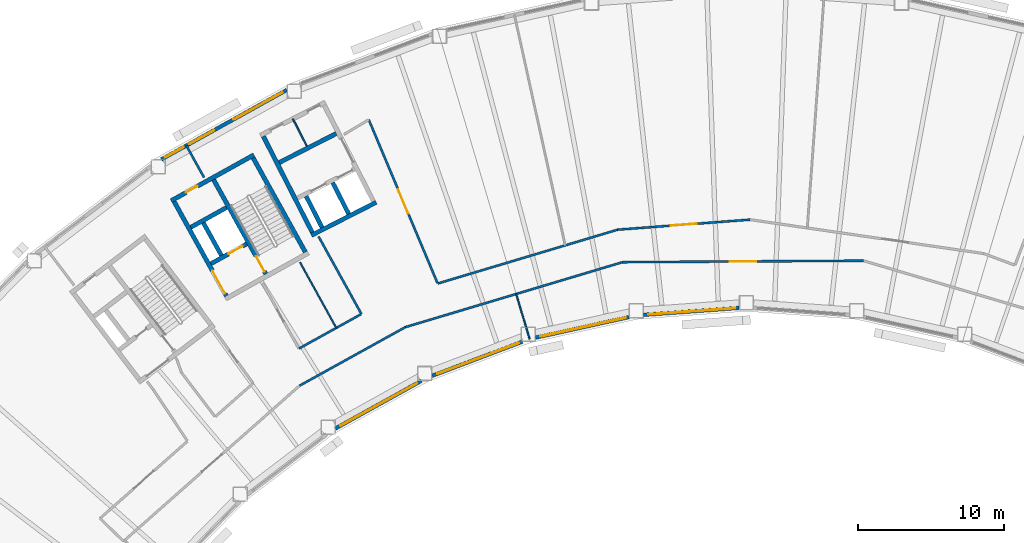
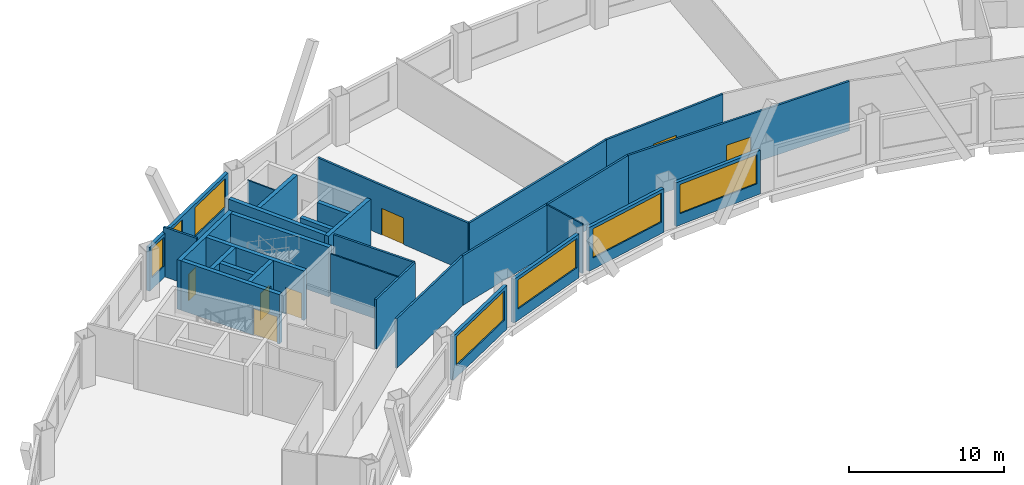
# One storey, part 4 of 11: 29 walls, 7 doors, 7 windows, 14 openings.
"""IFC4 building model written with IfcOpenShell, lengths in metres."""

from ifc_helpers import new_model, si_unit, direction, frame, frame_2d, origin, place, context, subcontext, project, spatial, rectangle, extrude, material, layer, layer_set, type_object, element, fill, save


model = new_model("IFC4")

# Units and contexts
model_context = context("Model", 3, precision=1e-05, world=origin(), true_north=direction((0.0, 1.0)))
body_context = subcontext(model_context, "Body", "Model", "MODEL_VIEW")
ifc_project = project(units=[si_unit("LENGTHUNIT", "METRE"), si_unit("AREAUNIT", "SQUARE_METRE"), si_unit("VOLUMEUNIT", "CUBIC_METRE"), si_unit("PLANEANGLEUNIT", "RADIAN"), si_unit("MASSUNIT", "GRAM", prefix="KILO")], contexts=[model_context])

# Site, building, storey
site_placement = place(None, origin())
site = spatial("IfcSite", under=ifc_project, at=site_placement, CompositionType="ELEMENT")
building_placement = place(site_placement, origin())
building = spatial("IfcBuilding", under=site, at=building_placement, Name="Tuul Gate Civic Tower", CompositionType="ELEMENT")
storey_placement = place(building_placement, frame((0.0, 0.0, 146.60009765625)))
storey = spatial("IfcBuildingStorey", under=building, at=storey_placement, Name="Level 33", CompositionType="ELEMENT", Elevation=146.60009765625)

# Wall, opening, door
ifc_material_1 = material(Name="Concrete C50/60", Category="concrete")
ifc_layer_1 = layer(ifc_material_1, 0.300048828125)
ifc_layer_set_1 = layer_set([ifc_layer_1], Name="Concrete C50/60")
wall_type_1 = type_object("IfcWallType", Name="Core wall C50/60", PredefinedType="SHEAR", material=ifc_layer_set_1)
wall_1_placement = place(storey_placement, frame((-28.94580078125, -8.090087890625, 0.0), z_axis=(0.0, 0.0, 1.0), x_axis=(-0.874629840737, -0.484791338301, 0.0)))
wall_1 = element("IfcWall", 1, at=wall_1_placement, inside=storey, type_object=wall_type_1, Name="Core wall", PredefinedType="SHEAR", context=body_context, shape_type="SweptSolid", body=[
    extrude(rectangle(XDim=2.800048828125, YDim=0.300048828125, at=frame_2d((1.39990234375, 0.0))), origin(), (0.0, 0.0, 1.0), 3.89990234375),
])
opening_1_placement = place(wall_1_placement, frame((0.324951171875, 0.0, 0.0)))
opening_1 = element("IfcOpeningElement", 2, at=opening_1_placement, cuts=wall_1, Name="Opening LD-FF-1", PredefinedType="OPENING", context=body_context, shape_type="SweptSolid", body=[
    extrude(rectangle(XDim=1.10009765625, YDim=2.10009765625, at=frame_2d((0.550048828125, 1.050048828125))), frame((0.0, 0.16015625, 0.0), z_axis=(0.0, -1.0, 0.0), x_axis=(1.0, 0.0, 0.0)), (0.0, 0.0, 1.0), 0.320068359375),
])
ifc_material_2 = material(Name="Stainless steel", Category="steel")
door_type_1 = type_object("IfcDoorType", Name="Landing door", OperationType="DOUBLE_DOOR_SLIDING", PredefinedType="DOOR", material=ifc_material_2)
door_1_placement = place(opening_1_placement, origin())
door_1 = element("IfcDoor", 3, at=door_1_placement, inside=storey, type_object=door_type_1, Name="Fire-fighting lift FF-1 landing door", OperationType="DOUBLE_DOOR_SLIDING", OverallHeight=2.10009765625, OverallWidth=1.10009765625, PredefinedType="DOOR", context=body_context, shape_type="SweptSolid", body=[
    extrude(rectangle(XDim=1.10009765625, YDim=2.10009765625, at=frame_2d((0.550048828125, 1.050048828125))), frame((0.0, 0.02490234375, 0.0), z_axis=(0.0, -1.0, 0.0), x_axis=(1.0, 0.0, 0.0)), (0.0, 0.0, 1.0), 0.050048828125),
])
fill(opening_1, door_1)

# Wall
wall_2_placement = place(storey_placement, frame((-30.327392578125, -5.59716796875, 0.0), z_axis=(0.0, 0.0, 1.0), x_axis=(-0.874629840737, -0.484791338301, 0.0)))
element("IfcWall", 4, at=wall_2_placement, inside=storey, type_object=wall_type_1, Name="Core wall", PredefinedType="SHEAR", context=body_context, shape_type="SweptSolid", body=[
    extrude(rectangle(XDim=2.800048828125, YDim=0.300048828125, at=frame_2d((1.39990234375, 0.0))), origin(), (0.0, 0.0, 1.0), 3.89990234375),
])

# Wall, opening, door
wall_3_placement = place(storey_placement, frame((-28.4443359375, -1.98095703125, 0.0), z_axis=(0.0, 0.0, 1.0), x_axis=(-0.874629909008, -0.484791215132, 0.0)))
wall_3 = element("IfcWall", 5, at=wall_3_placement, inside=storey, type_object=wall_type_1, Name="Core wall", PredefinedType="SHEAR", context=body_context, shape_type="SweptSolid", body=[
    extrude(rectangle(XDim=6.5, YDim=0.300048828125, at=frame_2d((3.25, 0.0))), origin(), (0.0, 0.0, 1.0), 3.89990234375),
])
opening_2_placement = place(wall_3_placement, frame((4.425048828125, 0.0, 0.0)))
opening_2 = element("IfcOpeningElement", 6, at=opening_2_placement, cuts=wall_3, Name="Opening L-D12", PredefinedType="OPENING", context=body_context, shape_type="SweptSolid", body=[
    extrude(rectangle(XDim=0.89990234375, YDim=2.10009765625, at=frame_2d((0.449951171875, 1.050048828125))), frame((0.0, 0.16015625, 0.0), z_axis=(0.0, -1.0, 0.0), x_axis=(1.0, 0.0, 0.0)), (0.0, 0.0, 1.0), 0.320068359375),
])
ifc_material_3 = material(Name="Timber door leaf", Category="wood")
door_type_2 = type_object("IfcDoorType", Name="Door D09", OperationType="NOTDEFINED", PredefinedType="DOOR", material=ifc_material_3)
door_2_placement = place(opening_2_placement, origin())
door_2 = element("IfcDoor", 7, at=door_2_placement, inside=storey, type_object=door_type_2, Name="Door L-D12", OperationType="SINGLE_SWING_LEFT", OverallHeight=2.10009765625, OverallWidth=0.89990234375, PredefinedType="DOOR", context=body_context, shape_type="SweptSolid", body=[
    extrude(rectangle(XDim=0.89990234375, YDim=2.10009765625, at=frame_2d((0.449951171875, 1.050048828125))), frame((0.0, 0.02490234375, 0.0), z_axis=(0.0, -1.0, 0.0), x_axis=(1.0, 0.0, 0.0)), (0.0, 0.0, 1.0), 0.050048828125),
])
fill(opening_2, door_2)

# Wall
wall_4_placement = place(storey_placement, frame((-24.91552734375, -8.6572265625, 0.0), z_axis=(0.0, 0.0, 1.0), x_axis=(-0.484777133038, 0.874637714304, 0.0)))
element("IfcWall", 8, at=wall_4_placement, inside=storey, type_object=wall_type_1, Name="Core wall", PredefinedType="SHEAR", context=body_context, shape_type="SweptSolid", body=[
    extrude(rectangle(XDim=7.400146484375, YDim=0.300048828125, at=frame_2d((3.7001953125, 0.0))), origin(), (0.0, 0.0, 1.0), 3.89990234375),
])

# Wall, opening, door
wall_5_placement = place(storey_placement, frame((-27.626953125, -10.16015625, 0.0), z_axis=(0.0, 0.0, 1.0), x_axis=(-0.484751894226, 0.874651702704, 0.0)))
wall_5 = element("IfcWall", 9, at=wall_5_placement, inside=storey, type_object=wall_type_1, Name="Core wall", PredefinedType="SHEAR", context=body_context, shape_type="SweptSolid", body=[
    extrude(rectangle(XDim=7.39990234375, YDim=0.300048828125, at=frame_2d((3.699951171875, 0.0))), origin(), (0.0, 0.0, 1.0), 3.89990234375),
])
opening_3_placement = place(wall_5_placement, frame((0.199951171875, 0.0, 0.0)))
opening_3 = element("IfcOpeningElement", 10, at=opening_3_placement, cuts=wall_5, Name="Opening SD-ST-2", PredefinedType="OPENING", context=body_context, shape_type="SweptSolid", body=[
    extrude(rectangle(XDim=1.199951171875, YDim=2.10009765625, at=frame_2d((0.60009765625, 1.050048828125))), frame((0.0, 0.16015625, 0.0), z_axis=(0.0, -1.0, 0.0), x_axis=(1.0, 0.0, 0.0)), (0.0, 0.0, 1.0), 0.320068359375),
])
ifc_material_4 = material(Name="Steel", Category="steel")
door_type_3 = type_object("IfcDoorType", Name="Stair door", OperationType="NOTDEFINED", PredefinedType="DOOR", material=ifc_material_4)
door_3_placement = place(opening_3_placement, origin())
door_3 = element("IfcDoor", 11, at=door_3_placement, inside=storey, type_object=door_type_3, Name="Stair door ST-2", OperationType="SINGLE_SWING_LEFT", OverallHeight=2.10009765625, OverallWidth=1.199951171875, PredefinedType="DOOR", context=body_context, shape_type="SweptSolid", body=[
    extrude(rectangle(XDim=1.199951171875, YDim=2.10009765625, at=frame_2d((0.60009765625, 1.050048828125))), frame((0.0, 0.02490234375, 0.0), z_axis=(0.0, -1.0, 0.0), x_axis=(1.0, 0.0, 0.0)), (0.0, 0.0, 1.0), 0.050048828125),
])
fill(opening_3, door_3)

# Wall
wall_6_placement = place(storey_placement, frame((-30.680419921875, -8.8798828125, 0.0), z_axis=(0.0, 0.0, 1.0), x_axis=(-0.484724115216, 0.874667097888, 0.0)))
element("IfcWall", 12, at=wall_6_placement, inside=storey, type_object=wall_type_1, Name="Core wall", PredefinedType="SHEAR", context=body_context, shape_type="SweptSolid", body=[
    extrude(rectangle(XDim=2.550048828125, YDim=0.300048828125, at=frame_2d((1.27490234375, 0.0))), origin(), (0.0, 0.0, 1.0), 3.89990234375),
])

# Wall, opening, door
wall_7_placement = place(storey_placement, frame((-30.33837890625, -11.6630859375, 0.0), z_axis=(0.0, 0.0, 1.0), x_axis=(-0.484751894226, 0.874651702704, 0.0)))
wall_7 = element("IfcWall", 13, at=wall_7_placement, inside=storey, type_object=wall_type_1, Name="Core wall", PredefinedType="SHEAR", context=body_context, shape_type="SweptSolid", body=[
    extrude(rectangle(XDim=7.39990234375, YDim=0.300048828125, at=frame_2d((3.699951171875, 0.0))), origin(), (0.0, 0.0, 1.0), 3.89990234375),
])
opening_4_placement = place(wall_7_placement, frame((0.175048828125, 0.0, 0.0)))
opening_4 = element("IfcOpeningElement", 14, at=opening_4_placement, cuts=wall_7, Name="Opening LB-W2-FLOBBY-1", PredefinedType="OPENING", context=body_context, shape_type="SweptSolid", body=[
    extrude(rectangle(XDim=1.800048828125, YDim=2.10009765625, at=frame_2d((0.89990234375, 1.050048828125))), frame((0.0, 0.16015625, 0.0), z_axis=(0.0, -1.0, 0.0), x_axis=(1.0, 0.0, 0.0)), (0.0, 0.0, 1.0), 0.320068359375),
])
ifc_material_5 = material(Name="Steel", Category="steel")
door_type_4 = type_object("IfcDoorType", Name="Lobby door", OperationType="DOUBLE_DOOR_SINGLE_SWING", PredefinedType="DOOR", material=ifc_material_5)
door_4_placement = place(opening_4_placement, frame((1.800048828125, 0.0, 0.0), z_axis=(0.0, 0.0, 1.0), x_axis=(-1.0, 0.0, 0.0)))
door_4 = element("IfcDoor", 15, at=door_4_placement, inside=storey, type_object=door_type_4, Name="Lobby door W2-FLOBBY", OperationType="DOUBLE_DOOR_SINGLE_SWING", OverallHeight=2.10009765625, OverallWidth=1.800048828125, PredefinedType="DOOR", context=body_context, shape_type="SweptSolid", body=[
    extrude(rectangle(XDim=1.800048828125, YDim=2.10009765625, at=frame_2d((0.900146484375, 1.050048828125))), frame((0.0, 0.02490234375, 0.0), z_axis=(0.0, -1.0, 0.0), x_axis=(1.0, 0.0, 0.0)), (0.0, 0.0, 1.0), 0.050048828125),
])
fill(opening_4, door_4)

ifc_material_6 = material(Name="Gypsum board partition")
ifc_layer_2 = layer(ifc_material_6, 0.14990234375)
ifc_layer_set_2 = layer_set([ifc_layer_2], Name="Gypsum board partition")
wall_type_2 = type_object("IfcWallType", Name="Corridor wall P150", PredefinedType="PARTITIONING", material=ifc_layer_set_2)
wall_8_placement = place(storey_placement, frame((-3.470947265625, -7.116455078125, 0.0), z_axis=(0.0, 0.0, 1.0), x_axis=(0.997138621877, 0.075594766752, 0.0)))
wall_8 = element("IfcWall", 16, at=wall_8_placement, inside=storey, type_object=wall_type_2, Name="p019", PredefinedType="PARTITIONING", context=body_context, shape_type="SweptSolid", body=[
    extrude(rectangle(XDim=9.1171875, YDim=0.14990234375, at=frame_2d((4.55859375, 0.0))), origin(), (0.0, 0.0, 1.0), 3.89990234375),
])
opening_5_placement = place(wall_8_placement, frame((3.658447265625, 0.0, 0.0)))
opening_5 = element("IfcOpeningElement", 17, at=opening_5_placement, cuts=wall_8, Name="Opening L-D04", PredefinedType="OPENING", context=body_context, shape_type="SweptSolid", body=[
    extrude(rectangle(XDim=1.800048828125, YDim=2.10009765625, at=frame_2d((0.89990234375, 1.050048828125))), frame((0.0, 0.0849609375, 0.0), z_axis=(0.0, -1.0, 0.0), x_axis=(1.0, 0.0, 0.0)), (0.0, 0.0, 1.0), 0.169921875),
])
ifc_material_7 = material(Name="Timber door leaf, double", Category="wood")
door_type_5 = type_object("IfcDoorType", Name="Door D18", OperationType="DOUBLE_DOOR_SINGLE_SWING", PredefinedType="DOOR", material=ifc_material_7)
door_5_placement = place(opening_5_placement, origin())
door_5 = element("IfcDoor", 18, at=door_5_placement, inside=storey, type_object=door_type_5, Name="Door L-D04", OperationType="DOUBLE_DOOR_SINGLE_SWING", OverallHeight=2.10009765625, OverallWidth=1.800048828125, PredefinedType="DOOR", context=body_context, shape_type="SweptSolid", body=[
    extrude(rectangle(XDim=1.800048828125, YDim=2.10009765625, at=frame_2d((0.89990234375, 1.050048828125))), frame((0.0, 0.02490234375, 0.0), z_axis=(0.0, -1.0, 0.0), x_axis=(1.0, 0.0, 0.0)), (0.0, 0.0, 1.0), 0.050048828125),
])
fill(opening_5, door_5)

# Wall
wall_9_placement = place(storey_placement, frame((-15.811279296875, -10.80859375, 0.0), z_axis=(0.0, 0.0, 1.0), x_axis=(0.95803160682, 0.286662589701, 0.0)))
element("IfcWall", 19, at=wall_9_placement, inside=storey, type_object=wall_type_2, Name="p020", PredefinedType="PARTITIONING", context=body_context, shape_type="SweptSolid", body=[
    extrude(rectangle(XDim=12.87890625, YDim=0.14990234375, at=frame_2d((6.439453125, 0.0))), origin(), (0.0, 0.0, 1.0), 3.89990234375),
])

# Wall, opening, door
wall_10_placement = place(storey_placement, frame((-20.5615234375, 0.435546875, 0.0), z_axis=(0.0, 0.0, 1.0), x_axis=(0.387744378933, -0.921766942674, 0.0)))
wall_10 = element("IfcWall", 20, at=wall_10_placement, inside=storey, type_object=wall_type_2, Name="p022", PredefinedType="PARTITIONING", context=body_context, shape_type="SweptSolid", body=[
    extrude(rectangle(XDim=12.185546875, YDim=0.14990234375, at=frame_2d((6.0927734375, 0.0))), origin(), (0.0, 0.0, 1.0), 3.89990234375),
])
opening_6_placement = place(wall_10_placement, frame((5.19287109375, 0.0, 0.0)))
opening_6 = element("IfcOpeningElement", 21, at=opening_6_placement, cuts=wall_10, Name="Opening L-D05", PredefinedType="OPENING", context=body_context, shape_type="SweptSolid", body=[
    extrude(rectangle(XDim=1.800048828125, YDim=2.10009765625, at=frame_2d((0.89990234375, 1.050048828125))), frame((0.0, 0.0849609375, 0.0), z_axis=(0.0, -1.0, 0.0), x_axis=(1.0, 0.0, 0.0)), (0.0, 0.0, 1.0), 0.169921875),
])
door_6_placement = place(opening_6_placement, origin())
door_6 = element("IfcDoor", 22, at=door_6_placement, inside=storey, type_object=door_type_5, Name="Door L-D05", OperationType="DOUBLE_DOOR_SINGLE_SWING", OverallHeight=2.10009765625, OverallWidth=1.800048828125, PredefinedType="DOOR", context=body_context, shape_type="SweptSolid", body=[
    extrude(rectangle(XDim=1.800048828125, YDim=2.10009765625, at=frame_2d((0.89990234375, 1.050048828125))), frame((0.0, 0.02490234375, 0.0), z_axis=(0.0, -1.0, 0.0), x_axis=(1.0, 0.0, 0.0)), (0.0, 0.0, 1.0), 0.050048828125),
])
fill(opening_6, door_6)

# Walls
wall_11_placement = place(storey_placement, frame((-24.0078125, -7.586181640625, 0.0), z_axis=(0.0, 0.0, 1.0), x_axis=(0.483990526956, -0.87507323683, 0.0)))
element("IfcWall", 23, at=wall_11_placement, inside=storey, type_object=wall_type_2, Name="p024", PredefinedType="PARTITIONING", context=body_context, shape_type="SweptSolid", body=[
    extrude(rectangle(XDim=6.062255859375, YDim=0.14990234375, at=frame_2d((3.03125, 0.0))), origin(), (0.0, 0.0, 1.0), 3.89990234375),
])
wall_12_placement = place(storey_placement, frame((-25.348876953125, -15.276611328125, 0.0), z_axis=(0.0, 0.0, 1.0), x_axis=(0.874956857893, 0.484200884785, 0.0)))
element("IfcWall", 24, at=wall_12_placement, inside=storey, type_object=wall_type_2, Name="p025", PredefinedType="PARTITIONING", context=body_context, shape_type="SweptSolid", body=[
    extrude(rectangle(XDim=4.875244140625, YDim=0.14990234375, at=frame_2d((2.4375, 0.0))), origin(), (0.0, 0.0, 1.0), 3.89990234375),
])
wall_13_placement = place(storey_placement, frame((-33.087890625, -1.337890625, 0.0), z_axis=(0.0, 0.0, 1.0), x_axis=(0.484347743095, -0.874875570443, 0.0)))
element("IfcWall", 25, at=wall_13_placement, inside=storey, type_object=wall_type_2, Name="p026", PredefinedType="PARTITIONING", context=body_context, shape_type="SweptSolid", body=[
    extrude(rectangle(XDim=2.513671875, YDim=0.14990234375, at=frame_2d((1.2568359375, 0.0))), origin(), (0.0, 0.0, 1.0), 3.89990234375),
])
wall_14_placement = place(storey_placement, frame((-18.05029296875, -13.80908203125, 0.0), z_axis=(0.0, 0.0, 1.0), x_axis=(0.958036743569, 0.286645422031, 0.0)))
element("IfcWall", 26, at=wall_14_placement, inside=storey, type_object=wall_type_2, Name="p037", PredefinedType="PARTITIONING", context=body_context, shape_type="SweptSolid", body=[
    extrude(rectangle(XDim=15.561767578125, YDim=0.14990234375, at=frame_2d((7.78076171875, 0.0))), origin(), (0.0, 0.0, 1.0), 3.89990234375),
])

# Wall, opening, door
wall_15_placement = place(storey_placement, frame((-3.1416015625, -9.348388671875, 0.0), z_axis=(0.0, 0.0, 1.0), x_axis=(0.999981434522, 0.006093489325, 0.0)))
wall_15 = element("IfcWall", 27, at=wall_15_placement, inside=storey, type_object=wall_type_2, Name="p038", PredefinedType="PARTITIONING", context=body_context, shape_type="SweptSolid", body=[
    extrude(rectangle(XDim=16.547119140625, YDim=0.14990234375, at=frame_2d((8.2734375, 0.0))), origin(), (0.0, 0.0, 1.0), 3.89990234375),
])
opening_7_placement = place(wall_15_placement, frame((7.37353515625, 0.0, 0.0)))
opening_7 = element("IfcOpeningElement", 28, at=opening_7_placement, cuts=wall_15, Name="Opening L-D08", PredefinedType="OPENING", context=body_context, shape_type="SweptSolid", body=[
    extrude(rectangle(XDim=1.800048828125, YDim=2.10009765625, at=frame_2d((0.89990234375, 1.050048828125))), frame((0.0, 0.0849609375, 0.0), z_axis=(0.0, -1.0, 0.0), x_axis=(1.0, 0.0, 0.0)), (0.0, 0.0, 1.0), 0.169921875),
])
door_7_placement = place(opening_7_placement, frame((1.800048828125, 0.0, 0.0), z_axis=(0.0, 0.0, 1.0), x_axis=(-1.0, 0.0, 0.0)))
door_7 = element("IfcDoor", 29, at=door_7_placement, inside=storey, type_object=door_type_5, Name="Door L-D08", OperationType="DOUBLE_DOOR_SINGLE_SWING", OverallHeight=2.10009765625, OverallWidth=1.800048828125, PredefinedType="DOOR", context=body_context, shape_type="SweptSolid", body=[
    extrude(rectangle(XDim=1.800048828125, YDim=2.10009765625, at=frame_2d((0.900146484375, 1.050048828125))), frame((0.0, 0.02490234375, 0.0), z_axis=(0.0, -1.0, 0.0), x_axis=(1.0, 0.0, 0.0)), (0.0, 0.0, 1.0), 0.050048828125),
])
fill(opening_7, door_7)

# Wall
wall_16_placement = place(storey_placement, frame((-25.308837890625, -17.826171875, 0.0), z_axis=(0.0, 0.0, 1.0), x_axis=(0.874970911839, 0.484175488264, 0.0)))
element("IfcWall", 30, at=wall_16_placement, inside=storey, type_object=wall_type_2, Name="p041", PredefinedType="PARTITIONING", context=body_context, shape_type="SweptSolid", body=[
    extrude(rectangle(XDim=8.295654296875, YDim=0.14990234375, at=frame_2d((4.14794921875, 0.0))), origin(), (0.0, 0.0, 1.0), 3.89990234375),
])

# Wall, openings, windows
ifc_material_8 = material(Name="Precast concrete C40/50", Category="concrete")
ifc_layer_3 = layer(ifc_material_8, 0.25)
ifc_layer_set_3 = layer_set([ifc_layer_3], Name="Precast concrete C40/50")
wall_type_3 = type_object("IfcWallType", Name="External wall", PredefinedType="STANDARD", material=ifc_layer_set_3)
wall_17_placement = place(storey_placement, frame((-26.18994140625, 2.479736328125, 0.0), z_axis=(0.0, 0.0, 1.0), x_axis=(-0.874631968484, -0.484787499536, 0.0)))
wall_17 = element("IfcWall", 31, at=wall_17_placement, inside=storey, type_object=wall_type_3, Name="External wall", PredefinedType="STANDARD", context=body_context, shape_type="SweptSolid", body=[
    extrude(rectangle(XDim=9.8408203125, YDim=0.25, at=frame_2d((4.92041015625, 0.0))), origin(), (0.0, 0.0, 1.0), 3.449951171875),
])
opening_8_placement = place(wall_17_placement, frame((0.3359375, 0.0, 0.89990234375)))
opening_8 = element("IfcOpeningElement", 32, at=opening_8_placement, cuts=wall_17, Name="Opening W22", PredefinedType="OPENING", context=body_context, shape_type="SweptSolid", body=[
    extrude(rectangle(XDim=3.85009765625, YDim=2.300048828125, at=frame_2d((1.925048828125, 1.14990234375))), frame((0.0, 0.135009765625, 0.0), z_axis=(0.0, -1.0, 0.0), x_axis=(1.0, 0.0, 0.0)), (0.0, 0.0, 1.0), 0.27001953125),
])
opening_9_placement = place(wall_17_placement, frame((5.720703125, 0.0, 0.89990234375)))
opening_9 = element("IfcOpeningElement", 33, at=opening_9_placement, cuts=wall_17, Name="Opening W46", PredefinedType="OPENING", context=body_context, shape_type="SweptSolid", body=[
    extrude(rectangle(XDim=1.949951171875, YDim=2.300048828125, at=frame_2d((0.97509765625, 1.14990234375))), frame((0.0, 0.135009765625, 0.0), z_axis=(0.0, -1.0, 0.0), x_axis=(1.0, 0.0, 0.0)), (0.0, 0.0, 1.0), 0.27001953125),
])
opening_10_placement = place(wall_17_placement, frame((8.095703125, 0.0, 0.89990234375)))
opening_10 = element("IfcOpeningElement", 34, at=opening_10_placement, cuts=wall_17, Name="Opening W47", PredefinedType="OPENING", context=body_context, shape_type="SweptSolid", body=[
    extrude(rectangle(XDim=1.449951171875, YDim=2.300048828125, at=frame_2d((0.72509765625, 1.14990234375))), frame((0.0, 0.135009765625, 0.0), z_axis=(0.0, -1.0, 0.0), x_axis=(1.0, 0.0, 0.0)), (0.0, 0.0, 1.0), 0.27001953125),
])
ifc_material_9 = material(Name="Glass", Category="glass")
window_type_1 = type_object("IfcWindowType", Name="Window 1450 x 2300", PartitioningType="SINGLE_PANEL", PredefinedType="WINDOW", material=ifc_material_9)
window_1_placement = place(opening_10_placement, origin())
window_1 = element("IfcWindow", 35, at=window_1_placement, inside=storey, type_object=window_type_1, Name="Window", OverallHeight=2.300048828125, OverallWidth=1.449951171875, PartitioningType="SINGLE_PANEL", PredefinedType="WINDOW", context=body_context, shape_type="SweptSolid", body=[
    extrude(rectangle(XDim=1.449951171875, YDim=2.300048828125, at=frame_2d((0.72509765625, 1.14990234375))), frame((0.0, 0.030029296875, 0.0), z_axis=(0.0, -1.0, 0.0), x_axis=(1.0, 0.0, 0.0)), (0.0, 0.0, 1.0), 0.06005859375),
])
fill(opening_10, window_1)
ifc_material_10 = material(Name="Glass", Category="glass")
window_type_2 = type_object("IfcWindowType", Name="Window 1950 x 2300", PartitioningType="SINGLE_PANEL", PredefinedType="WINDOW", material=ifc_material_10)
window_2_placement = place(opening_9_placement, origin())
window_2 = element("IfcWindow", 36, at=window_2_placement, inside=storey, type_object=window_type_2, Name="Window", OverallHeight=2.300048828125, OverallWidth=1.949951171875, PartitioningType="SINGLE_PANEL", PredefinedType="WINDOW", context=body_context, shape_type="SweptSolid", body=[
    extrude(rectangle(XDim=1.949951171875, YDim=2.300048828125, at=frame_2d((0.97509765625, 1.14990234375))), frame((0.0, 0.030029296875, 0.0), z_axis=(0.0, -1.0, 0.0), x_axis=(1.0, 0.0, 0.0)), (0.0, 0.0, 1.0), 0.06005859375),
])
fill(opening_9, window_2)
ifc_material_11 = material(Name="Glass", Category="glass")
window_type_3 = type_object("IfcWindowType", Name="Window W22 3850 x 2300", PartitioningType="SINGLE_PANEL", PredefinedType="WINDOW", material=ifc_material_11)
window_3_placement = place(opening_8_placement, origin())
window_3 = element("IfcWindow", 37, at=window_3_placement, inside=storey, type_object=window_type_3, Name="Window", OverallHeight=2.300048828125, OverallWidth=3.85009765625, PartitioningType="SINGLE_PANEL", PredefinedType="WINDOW", context=body_context, shape_type="SweptSolid", body=[
    extrude(rectangle(XDim=3.85009765625, YDim=2.300048828125, at=frame_2d((1.925048828125, 1.14990234375))), frame((0.0, 0.030029296875, 0.0), z_axis=(0.0, -1.0, 0.0), x_axis=(1.0, 0.0, 0.0)), (0.0, 0.0, 1.0), 0.06005859375),
])
fill(opening_8, window_3)

# Wall, opening, window
wall_18_placement = place(storey_placement, frame((-22.85302734375, -20.766845703125, 0.0), z_axis=(0.0, 0.0, 1.0), x_axis=(0.874615488592, 0.484817230628, 0.0)))
wall_18 = element("IfcWall", 38, at=wall_18_placement, inside=storey, type_object=wall_type_3, Name="External wall", PredefinedType="STANDARD", context=body_context, shape_type="SweptSolid", body=[
    extrude(rectangle(XDim=6.7548828125, YDim=0.25, at=frame_2d((3.37744140625, 0.0))), origin(), (0.0, 0.0, 1.0), 3.449951171875),
])
opening_11_placement = place(wall_18_placement, frame((0.40478515625, 0.0, 0.89990234375)))
opening_11 = element("IfcOpeningElement", 39, at=opening_11_placement, cuts=wall_18, Name="Opening W26", PredefinedType="OPENING", context=body_context, shape_type="SweptSolid", body=[
    extrude(rectangle(XDim=6.0, YDim=2.300048828125, at=frame_2d((3.0, 1.14990234375))), frame((0.0, 0.135009765625, 0.0), z_axis=(0.0, -1.0, 0.0), x_axis=(1.0, 0.0, 0.0)), (0.0, 0.0, 1.0), 0.27001953125),
])
ifc_material_12 = material(Name="Glass", Category="glass")
window_type_4 = type_object("IfcWindowType", Name="Window W26 6000 x 2300", PartitioningType="SINGLE_PANEL", PredefinedType="WINDOW", material=ifc_material_12)
window_4_placement = place(opening_11_placement, origin())
window_4 = element("IfcWindow", 40, at=window_4_placement, inside=storey, type_object=window_type_4, Name="Window", OverallHeight=2.300048828125, OverallWidth=6.0, PartitioningType="SINGLE_PANEL", PredefinedType="WINDOW", context=body_context, shape_type="SweptSolid", body=[
    extrude(rectangle(XDim=6.0, YDim=2.300048828125, at=frame_2d((3.0, 1.14990234375))), frame((0.0, 0.030029296875, 0.0), z_axis=(0.0, -1.0, 0.0), x_axis=(1.0, 0.0, 0.0)), (0.0, 0.0, 1.0), 0.06005859375),
])
fill(opening_11, window_4)

wall_19_placement = place(storey_placement, frame((-16.212890625, -17.150146484375, 0.0), z_axis=(0.0, 0.0, 1.0), x_axis=(0.935354811562, 0.353710865662, 0.0)))
wall_19 = element("IfcWall", 41, at=wall_19_placement, inside=storey, type_object=wall_type_3, Name="External wall", PredefinedType="STANDARD", context=body_context, shape_type="SweptSolid", body=[
    extrude(rectangle(XDim=6.624755859375, YDim=0.25, at=frame_2d((3.3125, 0.0))), origin(), (0.0, 0.0, 1.0), 3.449951171875),
])
opening_12_placement = place(wall_19_placement, frame((0.384521484375, 0.0, 0.89990234375)))
opening_12 = element("IfcOpeningElement", 42, at=opening_12_placement, cuts=wall_19, Name="Opening W26", PredefinedType="OPENING", context=body_context, shape_type="SweptSolid", body=[
    extrude(rectangle(XDim=6.0, YDim=2.300048828125, at=frame_2d((3.0, 1.14990234375))), frame((0.0, 0.135009765625, 0.0), z_axis=(0.0, -1.0, 0.0), x_axis=(1.0, 0.0, 0.0)), (0.0, 0.0, 1.0), 0.27001953125),
])
window_5_placement = place(opening_12_placement, origin())
window_5 = element("IfcWindow", 43, at=window_5_placement, inside=storey, type_object=window_type_4, Name="Window", OverallHeight=2.300048828125, OverallWidth=6.0, PartitioningType="SINGLE_PANEL", PredefinedType="WINDOW", context=body_context, shape_type="SweptSolid", body=[
    extrude(rectangle(XDim=6.0, YDim=2.300048828125, at=frame_2d((3.0, 1.14990234375))), frame((0.0, 0.030029296875, 0.0), z_axis=(0.0, -1.0, 0.0), x_axis=(1.0, 0.0, 0.0)), (0.0, 0.0, 1.0), 0.06005859375),
])
fill(opening_12, window_5)

wall_20_placement = place(storey_placement, frame((-9.112060546875, -14.529296875, 0.0), z_axis=(0.0, 0.0, 1.0), x_axis=(0.976557337415, 0.215257442942, 0.0)))
wall_20 = element("IfcWall", 44, at=wall_20_placement, inside=storey, type_object=wall_type_3, Name="External wall", PredefinedType="STANDARD", context=body_context, shape_type="SweptSolid", body=[
    extrude(rectangle(XDim=6.568115234375, YDim=0.25, at=frame_2d((3.2841796875, 0.0))), origin(), (0.0, 0.0, 1.0), 3.449951171875),
])
opening_13_placement = place(wall_20_placement, frame((0.355712890625, 0.0, 0.89990234375)))
opening_13 = element("IfcOpeningElement", 45, at=opening_13_placement, cuts=wall_20, Name="Opening W26", PredefinedType="OPENING", context=body_context, shape_type="SweptSolid", body=[
    extrude(rectangle(XDim=6.0, YDim=2.300048828125, at=frame_2d((3.0, 1.14990234375))), frame((0.0, 0.135009765625, 0.0), z_axis=(0.0, -1.0, 0.0), x_axis=(1.0, 0.0, 0.0)), (0.0, 0.0, 1.0), 0.27001953125),
])
window_6_placement = place(opening_13_placement, origin())
window_6 = element("IfcWindow", 46, at=window_6_placement, inside=storey, type_object=window_type_4, Name="Window", OverallHeight=2.300048828125, OverallWidth=6.0, PartitioningType="SINGLE_PANEL", PredefinedType="WINDOW", context=body_context, shape_type="SweptSolid", body=[
    extrude(rectangle(XDim=6.0, YDim=2.300048828125, at=frame_2d((3.0, 1.14990234375))), frame((0.0, 0.030029296875, 0.0), z_axis=(0.0, -1.0, 0.0), x_axis=(1.0, 0.0, 0.0)), (0.0, 0.0, 1.0), 0.06005859375),
])
fill(opening_13, window_6)

wall_21_placement = place(storey_placement, frame((-1.697998046875, -12.962158203125, 0.0), z_axis=(0.0, 0.0, 1.0), x_axis=(0.997383866909, 0.072287080662, 0.0)))
wall_21 = element("IfcWall", 47, at=wall_21_placement, inside=storey, type_object=wall_type_3, Name="External wall", PredefinedType="STANDARD", context=body_context, shape_type="SweptSolid", body=[
    extrude(rectangle(XDim=6.58935546875, YDim=0.25, at=frame_2d((3.294677734375, 0.0))), origin(), (0.0, 0.0, 1.0), 3.449951171875),
])
opening_14_placement = place(wall_21_placement, frame((0.318115234375, 0.0, 0.89990234375)))
opening_14 = element("IfcOpeningElement", 48, at=opening_14_placement, cuts=wall_21, Name="Opening W26", PredefinedType="OPENING", context=body_context, shape_type="SweptSolid", body=[
    extrude(rectangle(XDim=6.0, YDim=2.300048828125, at=frame_2d((3.0, 1.14990234375))), frame((0.0, 0.135009765625, 0.0), z_axis=(0.0, -1.0, 0.0), x_axis=(1.0, 0.0, 0.0)), (0.0, 0.0, 1.0), 0.27001953125),
])
window_7_placement = place(opening_14_placement, origin())
window_7 = element("IfcWindow", 49, at=window_7_placement, inside=storey, type_object=window_type_4, Name="Window", OverallHeight=2.300048828125, OverallWidth=6.0, PartitioningType="SINGLE_PANEL", PredefinedType="WINDOW", context=body_context, shape_type="SweptSolid", body=[
    extrude(rectangle(XDim=6.0, YDim=2.300048828125, at=frame_2d((3.0, 1.14990234375))), frame((0.0, 0.030029296875, 0.0), z_axis=(0.0, -1.0, 0.0), x_axis=(1.0, 0.0, 0.0)), (0.0, 0.0, 1.0), 0.06005859375),
])
fill(opening_14, window_7)

# Walls
ifc_material_13 = material(Name="Concrete C40/50", Category="concrete")
ifc_layer_4 = layer(ifc_material_13, 0.300048828125)
ifc_layer_set_4 = layer_set([ifc_layer_4], Name="Concrete C40/50")
wall_type_4 = type_object("IfcWallType", Name="Lift shaft wall C40/50", PredefinedType="STANDARD", material=ifc_layer_set_4)
wall_22_placement = place(storey_placement, frame((-20.049072265625, -5.232421875, 0.0), z_axis=(0.0, 0.0, 1.0), x_axis=(-0.891002976909, -0.453997461601, 0.0)))
element("IfcWall", 50, at=wall_22_placement, inside=storey, type_object=wall_type_4, Name="Shaft wall", PredefinedType="STANDARD", context=body_context, shape_type="SweptSolid", body=[
    extrude(rectangle(XDim=5.0, YDim=0.300048828125, at=frame_2d((2.5, 0.0))), origin(), (0.0, 0.0, 1.0), 3.89990234375),
])
wall_23_placement = place(storey_placement, frame((-22.790771484375, -0.5126953125, 0.0), z_axis=(0.0, 0.0, 1.0), x_axis=(-0.891005618941, -0.453992276384, 0.0)))
element("IfcWall", 51, at=wall_23_placement, inside=storey, type_object=wall_type_4, Name="Shaft wall", PredefinedType="STANDARD", context=body_context, shape_type="SweptSolid", body=[
    extrude(rectangle(XDim=4.39990234375, YDim=0.300048828125, at=frame_2d((2.199951171875, 0.0))), origin(), (0.0, 0.0, 1.0), 3.89990234375),
])
for number, where, z_axis, x_axis, name in (
    (52, (-21.94384765625, -6.029296875, 0.0), (0.0, 0.0, 1.0), (-0.45403702923, 0.890982814698, 0.0), "Shaft wall"),
    (53, (-23.770263671875, -6.960205078125, 0.0), (0.0, 0.0, 1.0), (-0.45399587725, 0.891003784189, 0.0), "Shaft wall"),
):
    element("IfcWall", number, at=place(storey_placement, frame(where, z_axis=z_axis, x_axis=x_axis)), inside=storey, type_object=wall_type_4, Name=name, PredefinedType="STANDARD", context=body_context, shape_type="SweptSolid", body=[
        extrude(rectangle(XDim=2.39990234375, YDim=0.300048828125, at=frame_2d((1.199951171875, 0.0))), origin(), (0.0, 0.0, 1.0), 3.89990234375),
    ])
wall_24_placement = place(storey_placement, frame((-24.438720703125, -7.300537109375, 0.0), z_axis=(0.0, 0.0, 1.0), x_axis=(-0.453984101083, 0.891009784438, 0.0)))
element("IfcWall", 54, at=wall_24_placement, inside=storey, type_object=wall_type_4, Name="Shaft wall", PredefinedType="STANDARD", context=body_context, shape_type="SweptSolid", body=[
    extrude(rectangle(XDim=7.399658203125, YDim=0.300048828125, at=frame_2d((3.69970703125, 0.0))), origin(), (0.0, 0.0, 1.0), 3.89990234375),
])
ifc_material_14 = material(Name="Gypsum board partition")
ifc_layer_5 = layer(ifc_material_14, 0.10009765625)
ifc_layer_set_5 = layer_set([ifc_layer_5], Name="Gypsum board partition")
wall_type_5 = type_object("IfcWallType", Name="Partition P100", PredefinedType="PARTITIONING", material=ifc_layer_set_5)
wall_25_placement = place(storey_placement, frame((-25.276611328125, -9.371826171875, 0.0), z_axis=(0.0, 0.0, 1.0), x_axis=(0.484814595675, -0.874616949195, 0.0)))
element("IfcWall", 55, at=wall_25_placement, inside=storey, type_object=wall_type_5, Name="p021", PredefinedType="PARTITIONING", context=body_context, shape_type="SweptSolid", body=[
    extrude(rectangle(XDim=5.13134765625, YDim=0.10009765625, at=frame_2d((2.565673828125, 0.0))), origin(), (0.0, 0.0, 1.0), 3.89990234375),
])
wall_26_placement = place(storey_placement, frame((-10.4375, -11.531494140625, 0.0), z_axis=(0.0, 0.0, 1.0), x_axis=(0.28520890633, -0.95846537744, 0.0)))
element("IfcWall", 56, at=wall_26_placement, inside=storey, type_object=wall_type_5, Name="p036", PredefinedType="PARTITIONING", context=body_context, shape_type="SweptSolid", body=[
    extrude(rectangle(XDim=3.226318359375, YDim=0.10009765625, at=frame_2d((1.61328125, 0.0))), origin(), (0.0, 0.0, 1.0), 3.89990234375),
])
wall_27_placement = place(storey_placement, frame((-24.819091796875, -1.377685546875, 0.0), z_axis=(0.0, 0.0, 1.0), x_axis=(-0.453990218702, 0.891006667384, 0.0)))
element("IfcWall", 57, at=wall_27_placement, inside=storey, type_object=wall_type_5, Name="bW3-BAND-0", PredefinedType="PARTITIONING", context=body_context, shape_type="SweptSolid", body=[
    extrude(rectangle(XDim=2.10009765625, YDim=0.10009765625, at=frame_2d((1.050048828125, 0.0))), origin(), (0.0, 0.0, 1.0), 3.89990234375),
])

save(model, "model.ifc")
